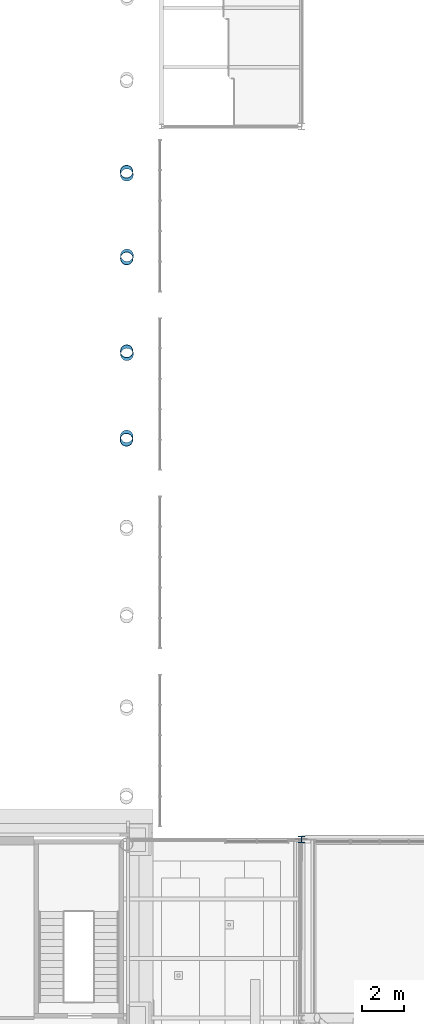
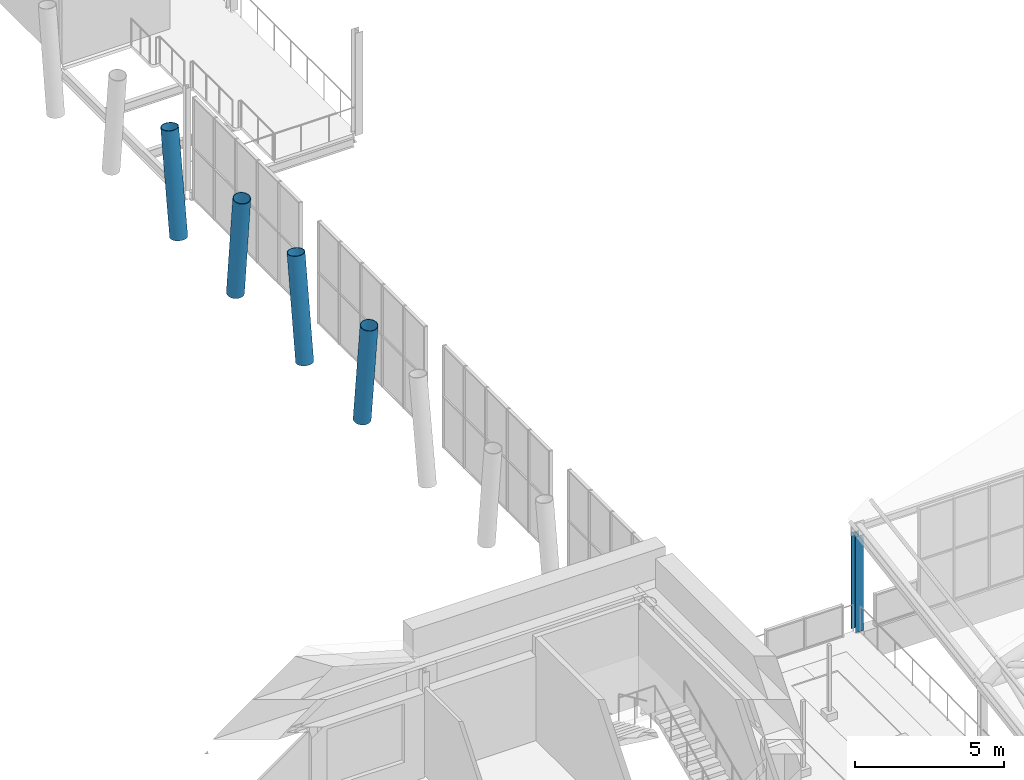
# One storey, part 4 of 76: 5 columns.
"""IFC4 building model written with IfcOpenShell, lengths in metres."""

from ifc_helpers import new_model, si_unit, direction, frame, origin, origin_2d, place, context, subcontext, project, spatial, hollow_circle, i_section, extrude, material, material_profile, profile_set, type_object, element, save


model = new_model("IFC4")

# Units and contexts
model_context = context("Model", 3, precision=1e-05, world=origin(), true_north=direction((0.0, 1.0)))
body_context = subcontext(model_context, "Body", "Model", "MODEL_VIEW")
ifc_project = project(units=[si_unit("LENGTHUNIT", "METRE"), si_unit("AREAUNIT", "SQUARE_METRE"), si_unit("VOLUMEUNIT", "CUBIC_METRE"), si_unit("PLANEANGLEUNIT", "RADIAN"), si_unit("MASSUNIT", "GRAM", prefix="KILO")], contexts=[model_context])

# Site, building, storey
site_placement = place(None, origin())
site = spatial("IfcSite", under=ifc_project, at=site_placement, CompositionType="ELEMENT")
building_placement = place(site_placement, origin())
building = spatial("IfcBuilding", under=site, at=building_placement, Name="Sava Quay Ferry Terminal", CompositionType="ELEMENT")
storey_placement = place(building_placement, frame((0.0, 0.0, 10.800048828125)))
storey = spatial("IfcBuildingStorey", under=building, at=storey_placement, Name="L02", CompositionType="ELEMENT", Elevation=10.800048828125)

# Columns
ifc_material_1 = material(Name="Steel S355", Category="steel")
ifc_material_profile_1 = material_profile(ifc_material_1, i_section(OverallWidth=0.300048828125, OverallDepth=0.300048828125, WebThickness=0.010986328125, FlangeThickness=0.01904296875, at=origin_2d()), Name="HE 300 B")
ifc_profile_set_1 = profile_set([ifc_material_profile_1], Name="Steel S355")
column_type_1 = type_object("IfcColumnType", Name="Column HE 300 B", PredefinedType="COLUMN", material=ifc_profile_set_1)
column_1_placement = place(storey_placement, frame((50.39990234375, 50.39990234375, 0.0), z_axis=(0.0, 0.0, 1.0), x_axis=(1.0, 0.0, 0.0)))
element("IfcColumn", 1, at=column_1_placement, inside=storey, type_object=column_type_1, Name="Column L02 50.4/50.4", PredefinedType="COLUMN", context=body_context, shape_type="SweptSolid", body=[
    extrude(i_section(OverallWidth=0.300048828125, OverallDepth=0.300048828125, WebThickness=0.010986328125, FlangeThickness=0.01904296875, at=origin_2d()), origin(), (0.0, 0.0, 1.0), 3.9345703125),
])
ifc_material_2 = material(Name="Steel S355", Category="steel")
ifc_material_profile_2 = material_profile(ifc_material_2, hollow_circle(Radius=0.304931640625, WallThickness=0.02001953125, at=origin_2d()), Name="CHS 610 x 20.0")
ifc_profile_set_2 = profile_set([ifc_material_profile_2], Name="Steel S355")
column_type_2 = type_object("IfcColumnType", Name="V column CHS 610x20", PredefinedType="COLUMN", material=ifc_profile_set_2)
column_2_placement = place(storey_placement, frame((42.16015625, 69.39404296875, 0.0), z_axis=(-0.011409621586, -0.131037775182, 0.991311717882), x_axis=(0.99623071841, -0.086743044083, 0.0)))
element("IfcColumn", 2, at=column_2_placement, inside=storey, type_object=column_type_2, Name="Departure hall V column D-VL2b part 3", PredefinedType="COLUMN", context=body_context, shape_type="SweptSolid", body=[
    extrude(hollow_circle(Radius=0.304931640625, WallThickness=0.02001953125, at=origin_2d()), origin(), (0.0, 0.0, 1.0), 4.23681640625),
])
for number, where, z_axis, x_axis, name in (
    (3, (42.171630859375, 73.272705078125, 0.0), (-0.010444415415, 0.120312741111, 0.992681096079), (-0.99625312834, -0.086485283563, 0.0), "Departure hall V column D-VL3a part 3"),
    (4, (42.171630859375, 77.92724609375, 0.0), (-0.010444415415, -0.120312741111, 0.992681096079), (0.99625312834, -0.086485283563, 0.0), "Departure hall V column D-VL3b part 3"),
):
    element("IfcColumn", number, at=place(storey_placement, frame(where, z_axis=z_axis, x_axis=x_axis)), inside=storey, type_object=column_type_2, Name=name, PredefinedType="COLUMN", context=body_context, shape_type="SweptSolid", body=[
        extrude(hollow_circle(Radius=0.304931640625, WallThickness=0.02001953125, at=origin_2d()), origin(), (0.0, 0.0, 1.0), 4.23095703125),
    ])
column_3_placement = place(storey_placement, frame((42.166748046875, 81.728759765625, 0.0), z_axis=(-0.010842160941, 0.12485786403, 0.992115397187), x_axis=(-0.996250941194, -0.086510474339, 0.0)))
element("IfcColumn", 5, at=column_3_placement, inside=storey, type_object=column_type_2, Name="Departure hall V column D-VL4a part 3", PredefinedType="COLUMN", context=body_context, shape_type="SweptSolid", body=[
    extrude(hollow_circle(Radius=0.304931640625, WallThickness=0.02001953125, at=origin_2d()), origin(), (0.0, 0.0, 1.0), 4.2333984375),
])

save(model, "model.ifc")
